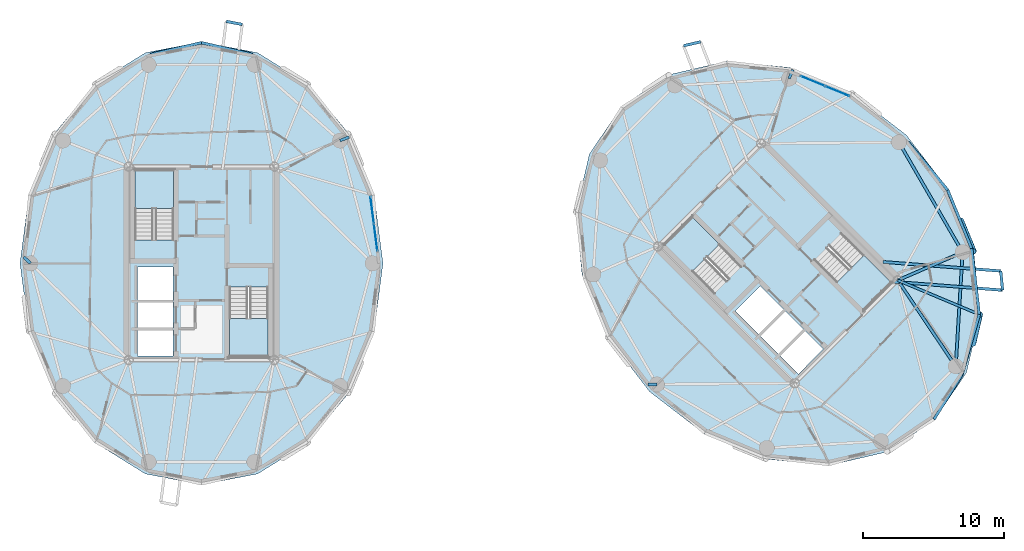
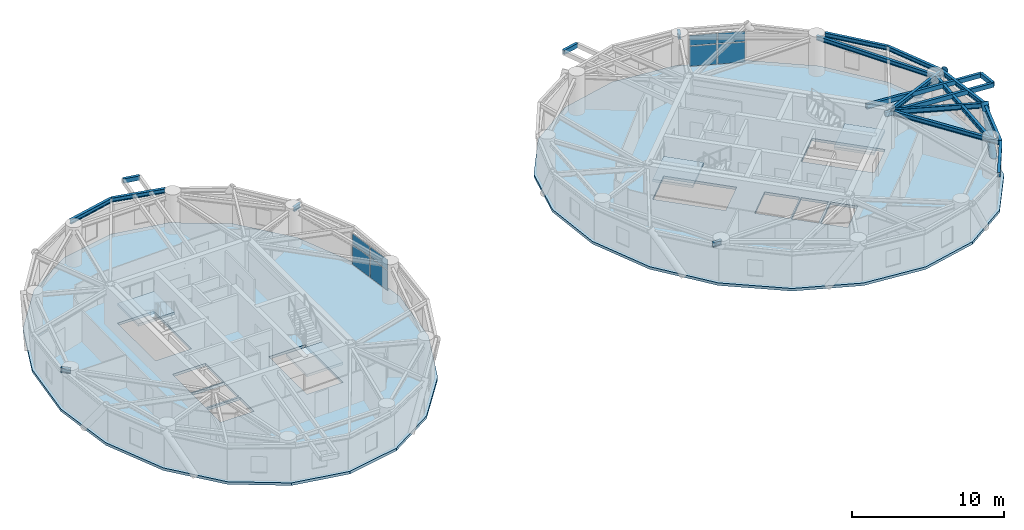
# One storey, part 7 of 15: 21 beams, 8 plates, 6 slabs, 2 members, 6 elements without a shape of their own.
"""IFC4 building model written with IfcOpenShell, lengths in metres."""

from ifc_helpers import new_model, si_unit, direction, frame, origin, origin_2d, place, context, subcontext, project, spatial, polyline, rectangle, hollow_rectangle, hollow_circle, i_section, outline, extrude, source, transform, mapped, material, layer, layer_set, material_profile, profile_set, type_object, element, aggregate, save


model = new_model("IFC4")

# Units and contexts
model_context = context("Model", 3, precision=1e-05, world=origin(), true_north=direction((0.0, 1.0)))
body_context = subcontext(model_context, "Body", "Model", "MODEL_VIEW")
ifc_project = project(units=[si_unit("LENGTHUNIT", "METRE"), si_unit("AREAUNIT", "SQUARE_METRE"), si_unit("VOLUMEUNIT", "CUBIC_METRE"), si_unit("PLANEANGLEUNIT", "RADIAN"), si_unit("MASSUNIT", "GRAM", prefix="KILO")], contexts=[model_context])

# Site, building, storey
site_placement = place(None, origin())
site = spatial("IfcSite", under=ifc_project, at=site_placement, CompositionType="ELEMENT")
building_placement = place(site_placement, origin())
building = spatial("IfcBuilding", under=site, at=building_placement, Name="Cununo Teusaquillo Station Towers", CompositionType="ELEMENT")
storey_placement = place(building_placement, frame((0.0, 0.0, 229.25)))
storey = spatial("IfcBuildingStorey", under=building, at=storey_placement, Name="L73", CompositionType="ELEMENT", Elevation=229.25)

# Beams
ifc_material_1 = material(Name="Steel EN 10025-2 S355J2", Category="steel")
ifc_material_profile_1 = material_profile(ifc_material_1, hollow_rectangle(XDim=0.199951171875, YDim=0.35009765625, WallThickness=0.013916015625, at=origin_2d()), Name="RHS 350x200x14")
ifc_profile_set_1 = profile_set([ifc_material_profile_1], Name="Steel EN 10025-2 S355J2")
beam_type_1 = type_object("IfcBeamType", Name="BM-BAL-CANT", PredefinedType="BEAM", material=ifc_profile_set_1)
beam_1_placement = place(storey_placement, frame((65.602783203125, 23.1982421875, 2.81494140625), z_axis=(0.997032447952, -0.076982450804, 0.0), x_axis=(0.076982450804, 0.997032447952, 0.0)))
element("IfcBeam", 1, at=beam_1_placement, inside=storey, type_object=beam_type_1, Name="L73 Tower B Balcony Cantilever Bracket 2A", PredefinedType="BEAM", context=body_context, shape_type="SweptSolid", body=[
    extrude(hollow_rectangle(XDim=0.199951171875, YDim=0.35009765625, WallThickness=0.013916015625, at=origin_2d()), origin(), (0.0, 0.0, 1.0), 7.89990234375),
])
beam_2_placement = place(storey_placement, frame((64.966064453125, 24.599853515625, 2.81494140625), z_axis=(0.997033941401, -0.076963106063, 0.0), x_axis=(0.076963106063, 0.997033941401, 0.0)))
element("IfcBeam", 2, at=beam_2_placement, inside=storey, type_object=beam_type_1, Name="L73 Tower B Balcony Cantilever Bracket 2B", PredefinedType="BEAM", context=body_context, shape_type="SweptSolid", body=[
    extrude(hollow_rectangle(XDim=0.199951171875, YDim=0.35009765625, WallThickness=0.013916015625, at=origin_2d()), origin(), (0.0, 0.0, 1.0), 8.403076171875),
])
ifc_material_2 = material(Name="Steel ASTM A572 Grade 50", Category="steel")
ifc_material_profile_2 = material_profile(ifc_material_2, i_section(OverallWidth=0.180908203125, OverallDepth=0.4169921875, WebThickness=0.010986328125, FlangeThickness=0.018310546875, FilletRadius=0.012939453125, at=origin_2d()), Name="W16X57")
ifc_profile_set_2 = profile_set([ifc_material_profile_2], Name="Steel ASTM A572 Grade 50")
beam_type_2 = type_object("IfcBeamType", Name="BM-JOIST-1", PredefinedType="JOIST", material=ifc_profile_set_2)
beam_3_placement = place(storey_placement, frame((66.024169921875, 23.29443359375, 2.781494140625), z_axis=(0.922169338565, -0.386786389381, 0.0), x_axis=(0.386786389381, 0.922169338565, 0.0)))
element("IfcBeam", 3, at=beam_3_placement, inside=storey, type_object=beam_type_2, Name="L73 Tower B Radial Spandrel Joist V17", PredefinedType="JOIST", context=body_context, shape_type="SweptSolid", body=[
    extrude(i_section(OverallWidth=0.180908203125, OverallDepth=0.4169921875, WebThickness=0.010986328125, FlangeThickness=0.018310546875, FilletRadius=0.012939453125, at=origin_2d()), origin(), (0.0, 0.0, 1.0), 6.281005859375),
])
ifc_material_3 = material(Name="Steel ASTM A572 Grade 50", Category="steel")
ifc_material_profile_3 = material_profile(ifc_material_3, i_section(OverallWidth=0.2041015625, OverallDepth=0.35009765625, WebThickness=0.008544921875, FlangeThickness=0.01513671875, FilletRadius=0.011962890625, at=origin_2d()), Name="W14X48")
ifc_profile_set_3 = profile_set([ifc_material_profile_3], Name="Steel ASTM A572 Grade 50")
beam_type_3 = type_object("IfcBeamType", Name="BM-RAD-G3", PredefinedType="BEAM", material=ifc_profile_set_3)
beam_4_placement = place(storey_placement, frame((26.347412109375, 33.228515625, 2.81494140625), z_axis=(0.929761307449, 0.368162886738, 0.0), x_axis=(-0.368162886738, 0.929761307449, 0.0)))
element("IfcBeam", 4, at=beam_4_placement, inside=storey, type_object=beam_type_3, Name="L73 Tower A Perimeter Overhang Girder 02B", PredefinedType="BEAM", context=body_context, shape_type="SweptSolid", body=[
    extrude(i_section(OverallWidth=0.2041015625, OverallDepth=0.35009765625, WebThickness=0.008544921875, FlangeThickness=0.01513671875, FilletRadius=0.011962890625, at=origin_2d()), origin(), (0.0, 0.0, 1.0), 0.691650390625),
])
beam_5_placement = place(storey_placement, frame((4.327880859375, 24.5, 2.81494140625), z_axis=(-0.712904743691, 0.701260883283, 0.0), x_axis=(-0.701260883283, -0.712904743691, 0.0)))
element("IfcBeam", 5, at=beam_5_placement, inside=storey, type_object=beam_type_3, Name="L73 Tower A Perimeter Overhang Girder 06B", PredefinedType="BEAM", context=body_context, shape_type="SweptSolid", body=[
    extrude(i_section(OverallWidth=0.2041015625, OverallDepth=0.35009765625, WebThickness=0.008544921875, FlangeThickness=0.01513671875, FilletRadius=0.011962890625, at=origin_2d()), origin(), (0.0, 0.0, 1.0), 0.64990234375),
])
beam_6_placement = place(storey_placement, frame((58.291015625, 37.63525390625, 2.81494140625), z_axis=(0.397409333503, 0.917641445034, 0.0), x_axis=(-0.917641445034, 0.397409333503, 0.0)))
element("IfcBeam", 6, at=beam_6_placement, inside=storey, type_object=beam_type_3, Name="L73 Tower B Perimeter Overhang Girder 02B", PredefinedType="BEAM", context=body_context, shape_type="SweptSolid", body=[
    extrude(i_section(OverallWidth=0.2041015625, OverallDepth=0.35009765625, WebThickness=0.008544921875, FlangeThickness=0.01513671875, FilletRadius=0.011962890625, at=origin_2d()), origin(), (0.0, 0.0, 1.0), 0.691650390625),
])
beam_7_placement = place(storey_placement, frame((48.89306640625, 15.89306640625, 2.81494140625), z_axis=(-0.999962704276, -0.008636553586, 0.0), x_axis=(0.008636553586, -0.999962704276, 0.0)))
element("IfcBeam", 7, at=beam_7_placement, inside=storey, type_object=beam_type_3, Name="L73 Tower B Perimeter Overhang Girder 06B", PredefinedType="BEAM", context=body_context, shape_type="SweptSolid", body=[
    extrude(i_section(OverallWidth=0.2041015625, OverallDepth=0.35009765625, WebThickness=0.008544921875, FlangeThickness=0.01513671875, FilletRadius=0.011962890625, at=origin_2d()), origin(), (0.0, 0.0, 1.0), 0.650146484375),
])
beam_8_placement = place(storey_placement, frame((66.024169921875, 23.29443359375, 2.81494140625), z_axis=(0.558570844079, -0.829456817529, 0.0), x_axis=(0.829456817529, 0.558570844079, 0.0)))
element("IfcBeam", 8, at=beam_8_placement, inside=storey, type_object=beam_type_3, Name="L73 Tower B Continuous Overhanging Radial Girder 09", PredefinedType="BEAM", context=body_context, shape_type="SweptSolid", body=[
    extrude(i_section(OverallWidth=0.2041015625, OverallDepth=0.35009765625, WebThickness=0.008544921875, FlangeThickness=0.01513671875, FilletRadius=0.011962890625, at=origin_2d()), origin(), (0.0, 0.0, 1.0), 8.1240234375),
])
beam_9_placement = place(storey_placement, frame((66.024169921875, 23.29443359375, 2.81494140625), z_axis=(0.917665176837, 0.397354530893, 0.0), x_axis=(-0.397354530893, 0.917665176837, 0.0)))
element("IfcBeam", 9, at=beam_9_placement, inside=storey, type_object=beam_type_3, Name="L73 Tower B Continuous Overhanging Radial Girder 10", PredefinedType="BEAM", context=body_context, shape_type="SweptSolid", body=[
    extrude(i_section(OverallWidth=0.2041015625, OverallDepth=0.35009765625, WebThickness=0.008544921875, FlangeThickness=0.01513671875, FilletRadius=0.011962890625, at=origin_2d()), origin(), (0.0, 0.0, 1.0), 5.716552734375),
])
ifc_material_4 = material(Name="Steel ASTM A572 Grade 50", Category="steel")
ifc_material_profile_4 = material_profile(ifc_material_4, i_section(OverallWidth=0.2041015625, OverallDepth=0.35009765625, WebThickness=0.008544921875, FlangeThickness=0.01513671875, FilletRadius=0.011962890625, at=origin_2d()), Name="W14X48")
ifc_profile_set_4 = profile_set([ifc_material_profile_4], Name="Steel ASTM A572 Grade 50")
beam_type_4 = type_object("IfcBeamType", Name="BM-RING-Z4", PredefinedType="SPANDREL", material=ifc_profile_set_4)
for number, where, z_axis, x_axis, name in (
    (10, (20.118896484375, 39.353515625, 2.81494140625), (-0.97431470066, 0.225190728224, 0.0), (-0.225190728224, -0.97431470066, 0.0), "L73 Tower A Spandrel Ring Beam 05"),
    (11, (16.5, 40.18994140625, 2.81494140625), (-0.97431470066, -0.225190728224, 0.0), (0.225190728224, -0.97431470066, 0.0), "L73 Tower A Spandrel Ring Beam 06"),
):
    element("IfcBeam", number, at=place(storey_placement, frame(where, z_axis=z_axis, x_axis=x_axis)), inside=storey, type_object=beam_type_4, Name=name, PredefinedType="SPANDREL", context=body_context, shape_type="SweptSolid", body=[
        extrude(i_section(OverallWidth=0.2041015625, OverallDepth=0.35009765625, WebThickness=0.008544921875, FlangeThickness=0.01513671875, FilletRadius=0.011962890625, at=origin_2d()), origin(), (0.0, 0.0, 1.0), 3.71435546875),
    ])
beam_10_placement = place(storey_placement, frame((70.146240234375, 17.173095703125, 2.81494140625), z_axis=(0.06012979176, 0.998190567048, 0.0), x_axis=(-0.998190567048, 0.06012979176, 0.0)))
element("IfcBeam", 12, at=beam_10_placement, inside=storey, type_object=beam_type_4, Name="L73 Tower B Structural Column Ring Girder 09", PredefinedType="SPANDREL", context=body_context, shape_type="SweptSolid", body=[
    extrude(i_section(OverallWidth=0.2041015625, OverallDepth=0.35009765625, WebThickness=0.008544921875, FlangeThickness=0.01513671875, FilletRadius=0.011962890625, at=origin_2d()), origin(), (0.0, 0.0, 1.0), 8.132568359375),
])
beam_11_placement = place(storey_placement, frame((70.63525390625, 25.291015625, 2.81494140625), z_axis=(-0.501311121078, 0.865267103202, 0.0), x_axis=(-0.865267103202, -0.501311121078, 0.0)))
element("IfcBeam", 13, at=beam_11_placement, inside=storey, type_object=beam_type_4, Name="L73 Tower B Structural Column Ring Girder 10", PredefinedType="SPANDREL", context=body_context, shape_type="SweptSolid", body=[
    extrude(i_section(OverallWidth=0.2041015625, OverallDepth=0.35009765625, WebThickness=0.008544921875, FlangeThickness=0.01513671875, FilletRadius=0.011962890625, at=origin_2d()), origin(), (0.0, 0.0, 1.0), 9.032958984375),
])
beam_12_placement = place(storey_placement, frame((68.594482421875, 13.405517578125, 2.81494140625), z_axis=(0.529715312739, 0.848175505099, 0.0), x_axis=(-0.848175505099, 0.529715312739, 0.0)))
element("IfcBeam", 14, at=beam_12_placement, inside=storey, type_object=beam_type_4, Name="L73 Tower B Spandrel Ring Beam 16", PredefinedType="SPANDREL", context=body_context, shape_type="SweptSolid", body=[
    extrude(i_section(OverallWidth=0.2041015625, OverallDepth=0.35009765625, WebThickness=0.008544921875, FlangeThickness=0.01513671875, FilletRadius=0.011962890625, at=origin_2d()), origin(), (0.0, 0.0, 1.0), 3.71435546875),
])
beam_13_placement = place(storey_placement, frame((70.56201171875, 16.555908203125, 2.81494140625), z_axis=(0.279502797802, 0.96014487762, 0.0), x_axis=(-0.96014487762, 0.279502797802, 0.0)))
element("IfcBeam", 15, at=beam_13_placement, inside=storey, type_object=beam_type_4, Name="L73 Tower B Spandrel Ring Beam 17", PredefinedType="SPANDREL", context=body_context, shape_type="SweptSolid", body=[
    extrude(i_section(OverallWidth=0.2041015625, OverallDepth=0.35009765625, WebThickness=0.008544921875, FlangeThickness=0.01513671875, FilletRadius=0.011962890625, at=origin_2d()), origin(), (0.0, 0.0, 1.0), 4.488037109375),
])
beam_14_placement = place(storey_placement, frame((71.81640625, 20.864990234375, 2.81494140625), z_axis=(-0.115452326356, 0.993313022334, 0.0), x_axis=(-0.993313022334, -0.115452326356, 0.0)))
element("IfcBeam", 16, at=beam_14_placement, inside=storey, type_object=beam_type_4, Name="L73 Tower B Spandrel Ring Beam 18", PredefinedType="SPANDREL", context=body_context, shape_type="SweptSolid", body=[
    extrude(i_section(OverallWidth=0.2041015625, OverallDepth=0.35009765625, WebThickness=0.008544921875, FlangeThickness=0.01513671875, FilletRadius=0.011962890625, at=origin_2d()), origin(), (0.0, 0.0, 1.0), 4.732666015625),
])
beam_15_placement = place(storey_placement, frame((71.27001953125, 25.56591796875, 2.81494140625), z_axis=(-0.379275405388, 0.925283830437, 0.0), x_axis=(-0.925283830437, -0.379275405388, 0.0)))
element("IfcBeam", 17, at=beam_15_placement, inside=storey, type_object=beam_type_4, Name="L73 Tower B Spandrel Ring Beam 19", PredefinedType="SPANDREL", context=body_context, shape_type="SweptSolid", body=[
    extrude(i_section(OverallWidth=0.2041015625, OverallDepth=0.35009765625, WebThickness=0.008544921875, FlangeThickness=0.01513671875, FilletRadius=0.011962890625, at=origin_2d()), origin(), (0.0, 0.0, 1.0), 4.482177734375),
])
beam_16_placement = place(storey_placement, frame((69.570068359375, 29.713134765625, 2.81494140625), z_axis=(-0.637524682095, 0.770429931739, 0.0), x_axis=(-0.770429931739, -0.637524682095, 0.0)))
element("IfcBeam", 18, at=beam_16_placement, inside=storey, type_object=beam_type_4, Name="L73 Tower B Spandrel Ring Beam 20", PredefinedType="SPANDREL", context=body_context, shape_type="SweptSolid", body=[
    extrude(i_section(OverallWidth=0.2041015625, OverallDepth=0.35009765625, WebThickness=0.008544921875, FlangeThickness=0.01513671875, FilletRadius=0.011962890625, at=origin_2d()), origin(), (0.0, 0.0, 1.0), 4.412353515625),
])
ifc_material_5 = material(Name="Steel EN 10025-2 S355J2", Category="steel")
ifc_material_profile_5 = material_profile(ifc_material_5, hollow_rectangle(XDim=0.199951171875, YDim=0.35009765625, WallThickness=0.013916015625, at=origin_2d()), Name="RHS 350x200x14")
ifc_profile_set_5 = profile_set([ifc_material_profile_5], Name="Steel EN 10025-2 S355J2")
beam_type_5 = type_object("IfcBeamType", Name="BM-STAIR-TRIM", PredefinedType="BEAM", material=ifc_profile_set_5)
beam_17_placement = place(storey_placement, frame((19.398193359375, 41.489501953125, 2.81494140625), z_axis=(-0.981857200028, 0.189621830897, 0.0), x_axis=(-0.189621830897, -0.981857200028, 0.0)))
element("IfcBeam", 19, at=beam_17_placement, inside=storey, type_object=beam_type_5, Name="L73 Tower A Balcony Edge Trimmer Beam 1", PredefinedType="BEAM", context=body_context, shape_type="SweptSolid", body=[
    extrude(hollow_rectangle(XDim=0.199951171875, YDim=0.35009765625, WallThickness=0.013916015625, at=origin_2d()), origin(), (0.0, 0.0, 1.0), 1.157470703125),
])
beam_18_placement = place(storey_placement, frame((51.9951171875, 40.255859375, 2.81494140625), z_axis=(-0.973841209742, -0.227229615606, 0.0), x_axis=(0.227229615606, -0.973841209742, 0.0)))
element("IfcBeam", 20, at=beam_18_placement, inside=storey, type_object=beam_type_5, Name="L73 Tower B Balcony Edge Trimmer Beam 1", PredefinedType="BEAM", context=body_context, shape_type="SweptSolid", body=[
    extrude(hollow_rectangle(XDim=0.199951171875, YDim=0.35009765625, WallThickness=0.013916015625, at=origin_2d()), origin(), (0.0, 0.0, 1.0), 1.240966796875),
])
beam_19_placement = place(storey_placement, frame((73.479248046875, 22.590087890625, 2.81494140625), z_axis=(-0.098568340868, 0.995130284022, 0.0), x_axis=(-0.995130284022, -0.098568340868, 0.0)))
element("IfcBeam", 21, at=beam_19_placement, inside=storey, type_object=beam_type_5, Name="L73 Tower B Balcony Edge Trimmer Beam 2", PredefinedType="BEAM", context=body_context, shape_type="SweptSolid", body=[
    extrude(hollow_rectangle(XDim=0.199951171875, YDim=0.35009765625, WallThickness=0.013916015625, at=origin_2d()), origin(), (0.0, 0.0, 1.0), 1.36962890625),
])

# Members
ifc_material_6 = material(Name="Steel EN 10025-2 S355J2", Category="steel")
ifc_material_profile_6 = material_profile(ifc_material_6, hollow_circle(Radius=0.25390625, WallThickness=0.01806640625, at=origin_2d()), Name="CHS 508x18")
ifc_profile_set_6 = profile_set([ifc_material_profile_6], Name="Steel EN 10025-2 S355J2")
member_type = type_object("IfcMemberType", Name="MBR-DIAG-Z4", PredefinedType="BRACE", material=ifc_profile_set_6)
member_1_placement = place(storey_placement, frame((71.337890625, 18.810791015625, -0.139892578125), z_axis=(0.124855848593, 0.535988321459, 0.834941636482), x_axis=(-0.97392481585, 0.226871005356, 0.0)))
element("IfcMember", 22, at=member_1_placement, inside=storey, type_object=member_type, Name="L73 Tower B Folded-Zigzag Diagrid Tube C16", PredefinedType="BRACE", context=body_context, shape_type="SweptSolid", body=[
    extrude(hollow_circle(Radius=0.25390625, WallThickness=0.01806640625, at=origin_2d()), origin(), (0.0, 0.0, 1.0), 3.83251953125),
])
member_2_placement = place(storey_placement, frame((70.47119140625, 27.521484375, -0.139892578125), z_axis=(0.22630825878, -0.550411606357, 0.803636507132), x_axis=(0.924874275738, 0.380273025704, 0.0)))
element("IfcMember", 23, at=member_2_placement, inside=storey, type_object=member_type, Name="L73 Tower B Folded-Zigzag Diagrid Tube C18", PredefinedType="BRACE", context=body_context, shape_type="SweptSolid", body=[
    extrude(hollow_circle(Radius=0.25390625, WallThickness=0.01806640625, at=origin_2d()), origin(), (0.0, 0.0, 1.0), 3.98193359375),
])

# Stair, slab
ifc_material_7 = material(Name="Concrete C50/60", Category="concrete")
stair_type = type_object("IfcStairType", Name="ST-TWR-1300", PredefinedType="HALF_TURN_STAIR", material=ifc_material_7)
stair_1_placement = place(storey_placement, origin())
stair_1 = element("IfcStair", 24, at=stair_1_placement, inside=storey, type_object=stair_type, Name="L73 Tower A Protected Core Exit Stair 1", PredefinedType="HALF_TURN_STAIR")
ifc_material_8 = material(Name="Concrete C50/60", Category="concrete")
ifc_layer_1 = layer(ifc_material_8, 0.199951171875)
ifc_layer_set_1 = layer_set([ifc_layer_1], Name="Concrete C50/60")
slab_type_1 = type_object("IfcSlabType", Name="SLB-STAIR-LND", PredefinedType="LANDING", material=ifc_layer_set_1)
slab_1_placement = place(storey_placement, frame((0.0, 0.0, 1.39990234375)))
slab_1 = element("IfcSlab", 25, at=slab_1_placement, type_object=slab_type_1, Name="ST-T1-1 landing 1", PredefinedType="LANDING", context=body_context, shape_type="SweptSolid", body=[
    extrude(outline(polyline([(14.52001953125, 28.409912109375), (14.52001953125, 31.159912109375), (11.760009765625, 31.159912109375), (11.760009765625, 28.409912109375), (14.52001953125, 28.409912109375)])), origin(), (0.0, 0.0, 1.0), 0.2001953125),
])
aggregate(stair_1, [slab_1])

stair_2_placement = place(storey_placement, origin())
stair_2 = element("IfcStair", 26, at=stair_2_placement, inside=storey, type_object=stair_type, Name="L73 Tower A Protected Core Exit Stair 2", PredefinedType="HALF_TURN_STAIR")
slab_2_placement = place(storey_placement, frame((0.0, 0.0, 1.39990234375)))
slab_2 = element("IfcSlab", 27, at=slab_2_placement, type_object=slab_type_1, Name="ST-T1-2 landing 1", PredefinedType="LANDING", context=body_context, shape_type="SweptSolid", body=[
    extrude(outline(polyline([(18.47998046875, 20.590087890625), (18.47998046875, 17.840087890625), (21.239990234375, 17.840087890625), (21.239990234375, 20.590087890625), (18.47998046875, 20.590087890625)])), origin(), (0.0, 0.0, 1.0), 0.2001953125),
])
aggregate(stair_2, [slab_2])

stair_3_placement = place(storey_placement, origin())
stair_3 = element("IfcStair", 28, at=stair_3_placement, inside=storey, type_object=stair_type, Name="L73 Tower B Protected Core Exit Stair 1", PredefinedType="HALF_TURN_STAIR")
slab_3_placement = place(storey_placement, frame((0.0, 0.0, 1.39990234375)))
slab_3 = element("IfcSlab", 29, at=slab_3_placement, type_object=slab_type_1, Name="ST-T2-1 landing 1", PredefinedType="LANDING", context=body_context, shape_type="SweptSolid", body=[
    extrude(outline(polyline([(53.335205078125, 25.86474609375), (51.390625, 27.809326171875), (49.43896484375, 25.857666015625), (51.383544921875, 23.9130859375), (53.335205078125, 25.86474609375)])), origin(), (0.0, 0.0, 1.0), 0.2001953125),
])
aggregate(stair_3, [slab_3])

stair_4_placement = place(storey_placement, origin())
stair_4 = element("IfcStair", 30, at=stair_4_placement, inside=storey, type_object=stair_type, Name="L73 Tower B Protected Core Exit Stair 2", PredefinedType="HALF_TURN_STAIR")
slab_4_placement = place(storey_placement, frame((0.0, 0.0, 1.39990234375)))
slab_4 = element("IfcSlab", 31, at=slab_4_placement, type_object=slab_type_1, Name="ST-T2-2 landing 1", PredefinedType="LANDING", context=body_context, shape_type="SweptSolid", body=[
    extrude(outline(polyline([(61.664794921875, 23.13525390625), (63.609375, 21.190673828125), (65.56103515625, 23.142333984375), (63.616455078125, 25.0869140625), (61.664794921875, 23.13525390625)])), origin(), (0.0, 0.0, 1.0), 0.2001953125),
])
aggregate(stair_4, [slab_4])

# Slabs
ifc_material_9 = material(Name="Concrete C40/50", Category="concrete")
ifc_layer_2 = layer(ifc_material_9, 0.2099609375)
ifc_layer_set_2 = layer_set([ifc_layer_2], Name="Concrete C40/50")
slab_type_2 = type_object("IfcSlabType", Name="SLB-Z4-200", PredefinedType="FLOOR", material=ifc_layer_set_2)
slab_5_placement = place(storey_placement, frame((0.0, 0.0, -0.2099609375)))
element("IfcSlab", 32, at=slab_5_placement, inside=storey, type_object=slab_type_2, Name="L73 Tower A Floor Slab", PredefinedType="FLOOR", context=body_context, shape_type="SweptSolid", body=[
    extrude(outline(polyline([(29.409912109375, 24.5), (28.778076171875, 29.366943359375), (26.9443359375, 33.757568359375), (24.08837890625, 37.241943359375), (20.489501953125, 39.47900390625), (16.5, 40.25), (12.510498046875, 39.47900390625), (8.91162109375, 37.241943359375), (6.0556640625, 33.757568359375), (4.221923828125, 29.366943359375), (3.590087890625, 24.5), (4.221923828125, 19.633056640625), (6.0556640625, 15.242431640625), (8.91162109375, 11.758056640625), (12.510498046875, 9.52099609375), (16.5, 8.75), (20.489501953125, 9.52099609375), (24.08837890625, 11.758056640625), (26.9443359375, 15.242431640625), (28.778076171875, 19.633056640625), (29.409912109375, 24.5)]), holes=[polyline([(14.52001953125, 26.176025390625), (14.52001953125, 31.159912109375), (11.760009765625, 31.159912109375), (11.760009765625, 26.176025390625), (14.52001953125, 26.176025390625)]), polyline([(18.47998046875, 22.823974609375), (18.47998046875, 17.840087890625), (21.239990234375, 17.840087890625), (21.239990234375, 22.823974609375), (18.47998046875, 22.823974609375)]), polyline([(11.949951171875, 21.85009765625), (14.47998046875, 21.85009765625), (14.47998046875, 24.25), (11.949951171875, 24.25), (11.949951171875, 21.85009765625)]), polyline([(11.949951171875, 17.89990234375), (14.47998046875, 17.89990234375), (14.47998046875, 19.75), (11.949951171875, 19.75), (11.949951171875, 17.89990234375)]), polyline([(11.949951171875, 19.89990234375), (14.47998046875, 19.89990234375), (14.47998046875, 21.75), (11.949951171875, 21.75), (11.949951171875, 19.89990234375)])]), origin(), (0.0, 0.0, 1.0), 0.2099609375),
])
slab_6_placement = place(storey_placement, frame((0.0, 0.0, -0.2099609375)))
element("IfcSlab", 33, at=slab_6_placement, inside=storey, type_object=slab_type_2, Name="L73 Tower B Floor Slab", PredefinedType="FLOOR", context=body_context, shape_type="SweptSolid", body=[
    extrude(outline(polyline([(66.628662109375, 33.628662109375), (62.740478515625, 36.623291015625), (58.339111328125, 38.431396484375), (53.855712890625, 38.875732421875), (49.72900390625, 37.912841796875), (46.363037109375, 35.636962890625), (44.087158203125, 32.27099609375), (43.124267578125, 28.144287109375), (43.568603515625, 23.660888671875), (45.376708984375, 19.259521484375), (48.371337890625, 15.371337890625), (52.259521484375, 12.376708984375), (56.660888671875, 10.568603515625), (61.144287109375, 10.124267578125), (65.27099609375, 11.087158203125), (68.636962890625, 13.363037109375), (70.912841796875, 16.72900390625), (71.875732421875, 20.855712890625), (71.431396484375, 25.339111328125), (69.623291015625, 29.740478515625), (66.628662109375, 33.628662109375)]), holes=[polyline([(54.914794921875, 24.28515625), (51.390625, 27.809326171875), (49.43896484375, 25.857666015625), (52.963134765625, 22.33349609375), (54.914794921875, 24.28515625)]), polyline([(60.085205078125, 24.71484375), (63.609375, 21.190673828125), (65.56103515625, 23.142333984375), (62.036865234375, 26.66650390625), (60.085205078125, 24.71484375)]), polyline([(56.156494140625, 19.40869140625), (57.945556640625, 21.19775390625), (56.248291015625, 22.89501953125), (54.45947265625, 21.10595703125), (56.156494140625, 19.40869140625)]), polyline([(58.94970703125, 16.61572265625), (60.738525390625, 18.40478515625), (59.430419921875, 19.712890625), (57.641357421875, 17.923828125), (58.94970703125, 16.61572265625)]), polyline([(57.535400390625, 18.030029296875), (59.32421875, 19.819091796875), (58.01611328125, 21.127197265625), (56.227294921875, 19.338134765625), (57.535400390625, 18.030029296875)])]), origin(), (0.0, 0.0, 1.0), 0.2099609375),
])

# Curtain wall, plates
ifc_material_10 = material(Name="Ceramic-fritted dark low-E double glazing", Category="glass")
ifc_layer_3 = layer(ifc_material_10, 0.179931640625)
ifc_layer_set_3 = layer_set([ifc_layer_3], Name="Ceramic-fritted dark low-E double glazing")
curtain_wall_type = type_object("IfcCurtainWallType", Name="CW-SYS-07", PredefinedType="USERDEFINED", material=ifc_layer_set_3)
curtain_wall_1_placement = place(storey_placement, origin())
curtain_wall_1 = element("IfcCurtainWall", 34, at=curtain_wall_1_placement, inside=storey, type_object=curtain_wall_type, Name="L73 Tower A Facade Curtain Wall C00", ObjectType="FRITTED GLAZING", PredefinedType="USERDEFINED")
ifc_material_11 = material(Name="Ceramic-fritted dark low-E double glazing", Category="glass")
ifc_layer_4 = layer(ifc_material_11, 0.028076171875)
ifc_layer_set_4 = layer_set([ifc_layer_4], Name="Ceramic-fritted dark low-E double glazing")
plate_type = type_object("IfcPlateType", Name="CWP-FRIT-28", PredefinedType="CURTAIN_PANEL", material=ifc_layer_set_4)
shared_shape_1 = source(origin(), body_context, "Body", "SweptSolid", [
    extrude(rectangle(XDim=1.8876953125, YDim=0.028076171875, at=origin_2d()), origin(), (0.0, 0.0, 1.0), 1.6005859375),
])
plate_1_placement = place(storey_placement, frame((28.64111328125, 28.280029296875, 0.06494140625), z_axis=(0.0, 0.0, 1.0), x_axis=(0.12825264413, -0.991741528461, 0.0)))
plate_1 = element("IfcPlate", 35, at=plate_1_placement, type_object=plate_type, Name="CW-07 panel 1.1", PredefinedType="CURTAIN_PANEL", context=body_context, shape_type="MappedRepresentation", body=[
    mapped(shared_shape_1, transform((0.0, 0.0, 0.0), x_axis=(1.0, 0.0, 0.0), y_axis=(0.0, 1.0, 0.0), z_axis=(0.0, 0.0, 1.0), scale=1.0)),
])
plate_2_placement = place(storey_placement, frame((28.8916015625, 26.343505859375, 0.06494140625), z_axis=(0.0, 0.0, 1.0), x_axis=(0.12825264413, -0.991741528461, 0.0)))
plate_2 = element("IfcPlate", 36, at=plate_2_placement, type_object=plate_type, Name="CW-07 panel 2.1", PredefinedType="CURTAIN_PANEL", context=body_context, shape_type="MappedRepresentation", body=[
    mapped(shared_shape_1, transform((0.0, 0.0, 0.0), x_axis=(1.0, 0.0, 0.0), y_axis=(0.0, 1.0, 0.0), z_axis=(0.0, 0.0, 1.0), scale=1.0)),
])
shared_shape_2 = source(origin(), body_context, "Body", "SweptSolid", [
    extrude(rectangle(XDim=1.8876953125, YDim=0.028076171875, at=origin_2d()), origin(), (0.0, 0.0, 1.0), 0.81640625),
])
plate_3_placement = place(storey_placement, frame((28.64111328125, 28.280029296875, 1.73046875), z_axis=(0.0, 0.0, 1.0), x_axis=(0.12825264413, -0.991741528461, 0.0)))
plate_3 = element("IfcPlate", 37, at=plate_3_placement, type_object=plate_type, Name="CW-07 panel 1.2", PredefinedType="CURTAIN_PANEL", context=body_context, shape_type="MappedRepresentation", body=[
    mapped(shared_shape_2, transform((0.0, 0.0, 0.0), x_axis=(1.0, 0.0, 0.0), y_axis=(0.0, 1.0, 0.0), z_axis=(0.0, 0.0, 1.0), scale=1.0)),
])
plate_4_placement = place(storey_placement, frame((28.8916015625, 26.343505859375, 1.73046875), z_axis=(0.0, 0.0, 1.0), x_axis=(0.12825264413, -0.991741528461, 0.0)))
plate_4 = element("IfcPlate", 38, at=plate_4_placement, type_object=plate_type, Name="CW-07 panel 2.2", PredefinedType="CURTAIN_PANEL", context=body_context, shape_type="MappedRepresentation", body=[
    mapped(shared_shape_2, transform((0.0, 0.0, 0.0), x_axis=(1.0, 0.0, 0.0), y_axis=(0.0, 1.0, 0.0), z_axis=(0.0, 0.0, 1.0), scale=1.0)),
])
aggregate(curtain_wall_1, [plate_1, plate_3, plate_2, plate_4])

curtain_wall_2_placement = place(storey_placement, origin())
curtain_wall_2 = element("IfcCurtainWall", 39, at=curtain_wall_2_placement, inside=storey, type_object=curtain_wall_type, Name="L73 Tower B Facade Curtain Wall C01", ObjectType="FRITTED GLAZING", PredefinedType="USERDEFINED")
shared_shape_3 = source(origin(), body_context, "Body", "SweptSolid", [
    extrude(rectangle(XDim=1.81298828125, YDim=0.028076171875, at=origin_2d()), origin(), (0.0, 0.0, 1.0), 1.6005859375),
])
plate_5_placement = place(storey_placement, frame((59.979248046875, 37.46044921875, 0.06494140625), z_axis=(0.0, 0.0, 1.0), x_axis=(0.924447019904, -0.381310513086, 0.0)))
plate_5 = element("IfcPlate", 40, at=plate_5_placement, type_object=plate_type, Name="CW-07 panel 1.1", PredefinedType="CURTAIN_PANEL", context=body_context, shape_type="MappedRepresentation", body=[
    mapped(shared_shape_3, transform((0.0, 0.0, 0.0), x_axis=(1.0, 0.0, 0.0), y_axis=(0.0, 1.0, 0.0), z_axis=(0.0, 0.0, 1.0), scale=1.0)),
])
plate_6_placement = place(storey_placement, frame((61.71533203125, 36.744384765625, 0.06494140625), z_axis=(0.0, 0.0, 1.0), x_axis=(0.924447019904, -0.381310513086, 0.0)))
plate_6 = element("IfcPlate", 41, at=plate_6_placement, type_object=plate_type, Name="CW-07 panel 2.1", PredefinedType="CURTAIN_PANEL", context=body_context, shape_type="MappedRepresentation", body=[
    mapped(shared_shape_3, transform((0.0, 0.0, 0.0), x_axis=(1.0, 0.0, 0.0), y_axis=(0.0, 1.0, 0.0), z_axis=(0.0, 0.0, 1.0), scale=1.0)),
])
shared_shape_4 = source(origin(), body_context, "Body", "SweptSolid", [
    extrude(rectangle(XDim=1.81298828125, YDim=0.028076171875, at=origin_2d()), origin(), (0.0, 0.0, 1.0), 0.81640625),
])
plate_7_placement = place(storey_placement, frame((59.979248046875, 37.46044921875, 1.73046875), z_axis=(0.0, 0.0, 1.0), x_axis=(0.924447019904, -0.381310513086, 0.0)))
plate_7 = element("IfcPlate", 42, at=plate_7_placement, type_object=plate_type, Name="CW-07 panel 1.2", PredefinedType="CURTAIN_PANEL", context=body_context, shape_type="MappedRepresentation", body=[
    mapped(shared_shape_4, transform((0.0, 0.0, 0.0), x_axis=(1.0, 0.0, 0.0), y_axis=(0.0, 1.0, 0.0), z_axis=(0.0, 0.0, 1.0), scale=1.0)),
])
plate_8_placement = place(storey_placement, frame((61.71533203125, 36.744384765625, 1.73046875), z_axis=(0.0, 0.0, 1.0), x_axis=(0.924447019904, -0.381310513086, 0.0)))
plate_8 = element("IfcPlate", 43, at=plate_8_placement, type_object=plate_type, Name="CW-07 panel 2.2", PredefinedType="CURTAIN_PANEL", context=body_context, shape_type="MappedRepresentation", body=[
    mapped(shared_shape_4, transform((0.0, 0.0, 0.0), x_axis=(1.0, 0.0, 0.0), y_axis=(0.0, 1.0, 0.0), z_axis=(0.0, 0.0, 1.0), scale=1.0)),
])
aggregate(curtain_wall_2, [plate_5, plate_7, plate_6, plate_8])

save(model, "model.ifc")
